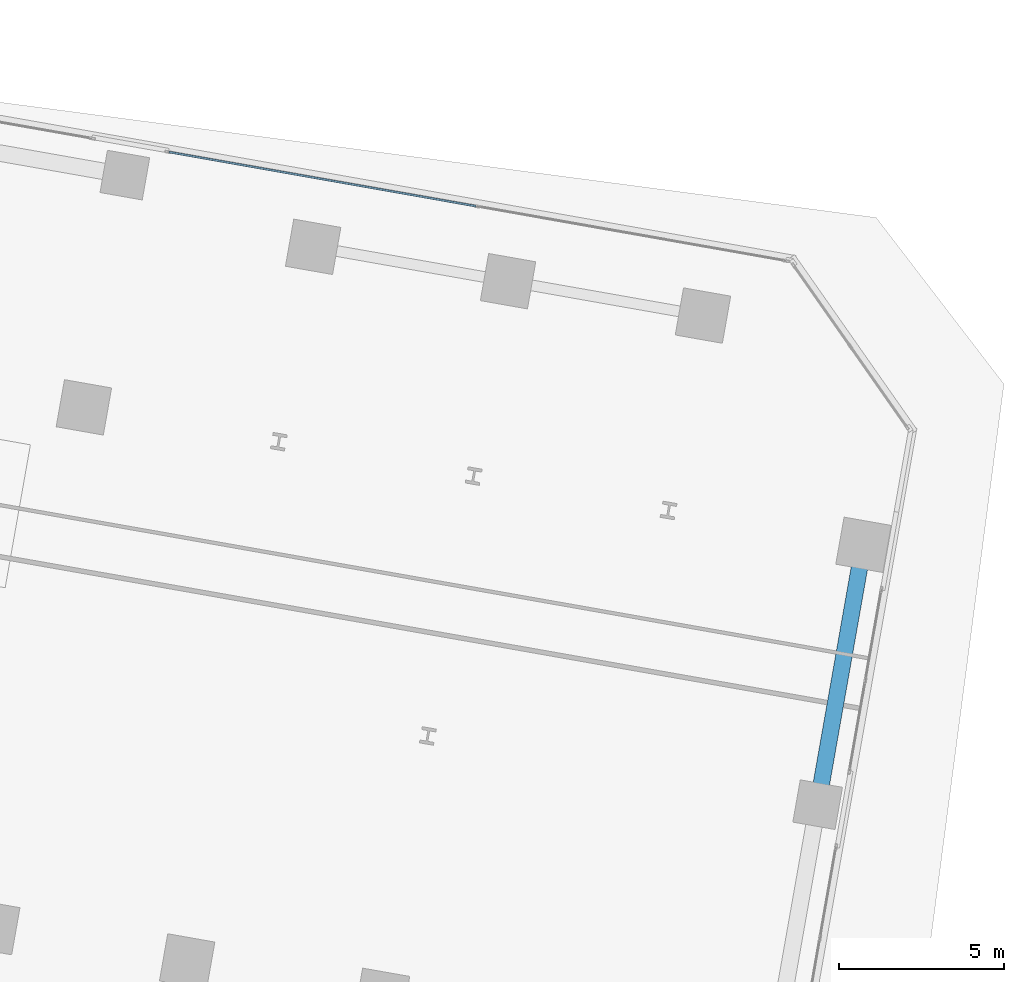
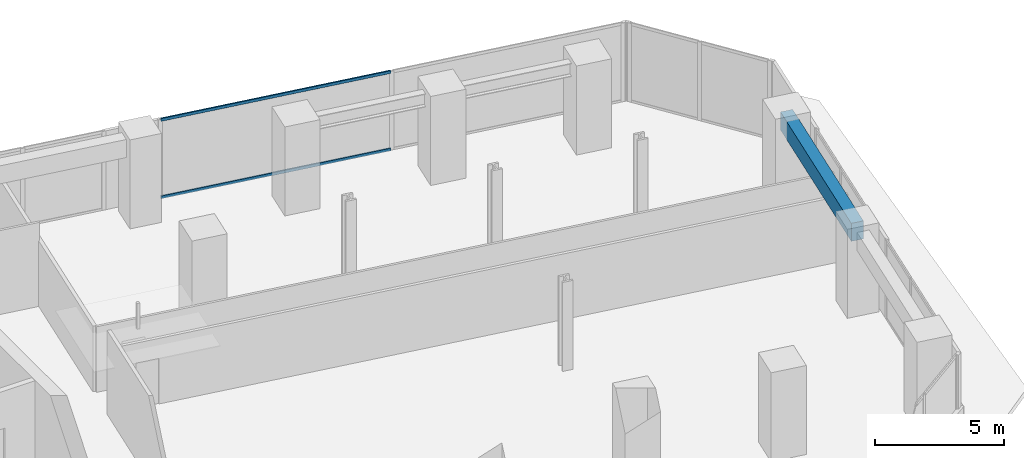
# One storey, part 10 of 24: 2 members, 1 beam, 1 element without a shape of its own.
"""IFC4 building model written with IfcOpenShell, lengths in metres."""

from ifc_helpers import new_model, si_unit, direction, frame, origin, origin_2d, place, context, subcontext, project, spatial, rectangle, hollow_rectangle, extrude, source, transform, mapped, material, material_profile, profile_set, type_object, element, aggregate, save


model = new_model("IFC4")

# Units and contexts
model_context = context("Model", 3, precision=1e-05, world=origin(), true_north=direction((0.0, 1.0)))
body_context = subcontext(model_context, "Body", "Model", "MODEL_VIEW")
ifc_project = project(units=[si_unit("LENGTHUNIT", "METRE"), si_unit("AREAUNIT", "SQUARE_METRE"), si_unit("VOLUMEUNIT", "CUBIC_METRE"), si_unit("PLANEANGLEUNIT", "RADIAN"), si_unit("MASSUNIT", "GRAM", prefix="KILO")], contexts=[model_context])

# Site, building, storey
site_placement = place(None, origin())
site = spatial("IfcSite", under=ifc_project, at=site_placement, CompositionType="ELEMENT")
building_placement = place(site_placement, origin())
building = spatial("IfcBuilding", under=site, at=building_placement, Name="Torre Montelarca", CompositionType="ELEMENT")
storey_placement = place(building_placement, frame((0.0, 0.0, 74.800048828125)))
storey = spatial("IfcBuildingStorey", under=building, at=storey_placement, Name="L16", CompositionType="ELEMENT", Elevation=74.800048828125)

# Beam
ifc_material_1 = material(Name="Concrete C55/67", Category="concrete")
ifc_material_profile_1 = material_profile(ifc_material_1, rectangle(XDim=0.5, YDim=0.85009765625, at=origin_2d()), Name="RCB500X850", Category="concrete")
ifc_profile_set_1 = profile_set([ifc_material_profile_1], Name="Concrete C55/67")
beam_type = type_object("IfcBeamType", Name="BM-SP-RC850-EXT", PredefinedType="SPANDREL", material=ifc_profile_set_1)
shared_shape_1 = source(origin(), body_context, "Body", "SweptSolid", [
    extrude(rectangle(XDim=0.5, YDim=0.85009765625, at=origin_2d()), origin(), (0.0, 0.0, 1.0), 8.000244140625),
])
beam_placement = place(storey_placement, frame((59.4150390625, 25.314453125, 3.534912109375), z_axis=(0.173640837858, 0.98480904719, 0.0), x_axis=(-0.98480904719, 0.173640837858, 0.0)))
element("IfcBeam", 1, at=beam_placement, inside=storey, type_object=beam_type, Name="L16 Grid Girder Y 32.0-40.0 at X=60.0", PredefinedType="SPANDREL", context=body_context, shape_type="MappedRepresentation", body=[
    mapped(shared_shape_1, transform((0.0, 0.0, 0.0), scale=1.0)),
])

# Curtain wall, members
ifc_material_2 = material(Name="Insulated low-E laminated glass", Category="glass")
curtain_wall_type = type_object("IfcCurtainWallType", Name="CW-SYS-Z1", PredefinedType="USERDEFINED", material=ifc_material_2)
curtain_wall_placement = place(storey_placement, origin())
curtain_wall = element("IfcCurtainWall", 2, at=curtain_wall_placement, inside=storey, type_object=curtain_wall_type, Name="L16 Curtain Wall Run CW-T3-L16-E08-B1", ObjectType="UNITISED GLAZING", PredefinedType="USERDEFINED")
ifc_material_3 = material(Name="Anodised aluminium AA 6063-T6", Category="aluminium")
ifc_material_profile_2 = material_profile(ifc_material_3, hollow_rectangle(XDim=0.06494140625, YDim=0.139892578125, WallThickness=0.00390625, InnerFilletRadius=0.00390625, OuterFilletRadius=0.008056640625, at=origin_2d()), Name="ALU65X140X4", Category="aluminium")
ifc_profile_set_2 = profile_set([ifc_material_profile_2], Name="Anodised aluminium AA 6063-T6")
member_type = type_object("IfcMemberType", Name="CWT-ALU140", PredefinedType="USERDEFINED", material=ifc_profile_set_2)
shared_shape_2 = source(origin(), body_context, "Body", "SweptSolid", [
    extrude(hollow_rectangle(XDim=0.06494140625, YDim=0.139892578125, WallThickness=0.00390625, InnerFilletRadius=0.00390625, OuterFilletRadius=0.008056640625, at=origin_2d()), origin(), (0.0, 0.0, 1.0), 9.45458984375),
])
member_1_placement = place(storey_placement, frame((49.05810546875, 43.458740234375, 0.032470703125), z_axis=(-0.984811101785, 0.173629184761, 0.0), x_axis=(-0.173629184761, -0.984811101785, 0.0)))
member_1 = element("IfcMember", 3, at=member_1_placement, type_object=member_type, Name="CW transom 2.1", ObjectType="TRANSOM", PredefinedType="USERDEFINED", context=body_context, shape_type="MappedRepresentation", body=[
    mapped(shared_shape_2, transform((0.0, 0.0, 0.0), scale=1.0)),
])
member_2_placement = place(storey_placement, frame((49.05810546875, 43.458740234375, 3.6875), z_axis=(-0.984811101785, 0.173629184761, 0.0), x_axis=(-0.173629184761, -0.984811101785, 0.0)))
member_2 = element("IfcMember", 4, at=member_2_placement, type_object=member_type, Name="CW transom 2.2", ObjectType="TRANSOM", PredefinedType="USERDEFINED", context=body_context, shape_type="MappedRepresentation", body=[
    mapped(shared_shape_2, transform((0.0, 0.0, 0.0), scale=1.0)),
])
aggregate(curtain_wall, [member_1, member_2])

save(model, "model.ifc")
